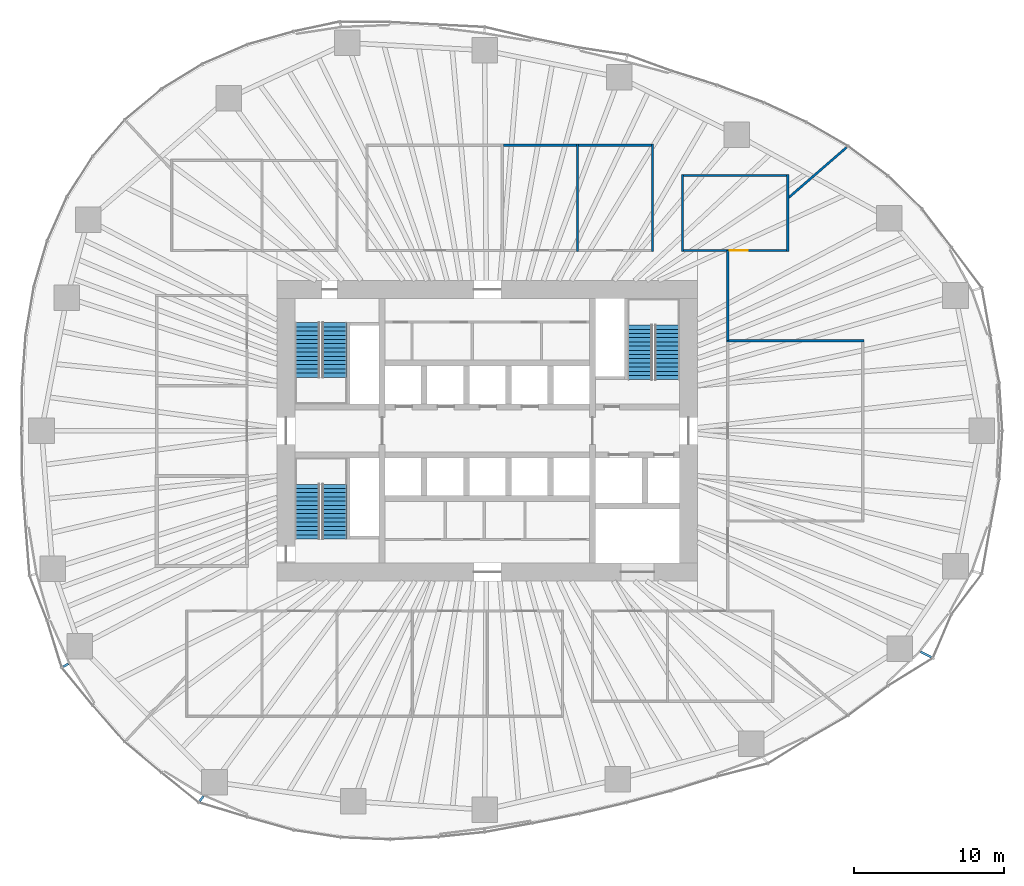
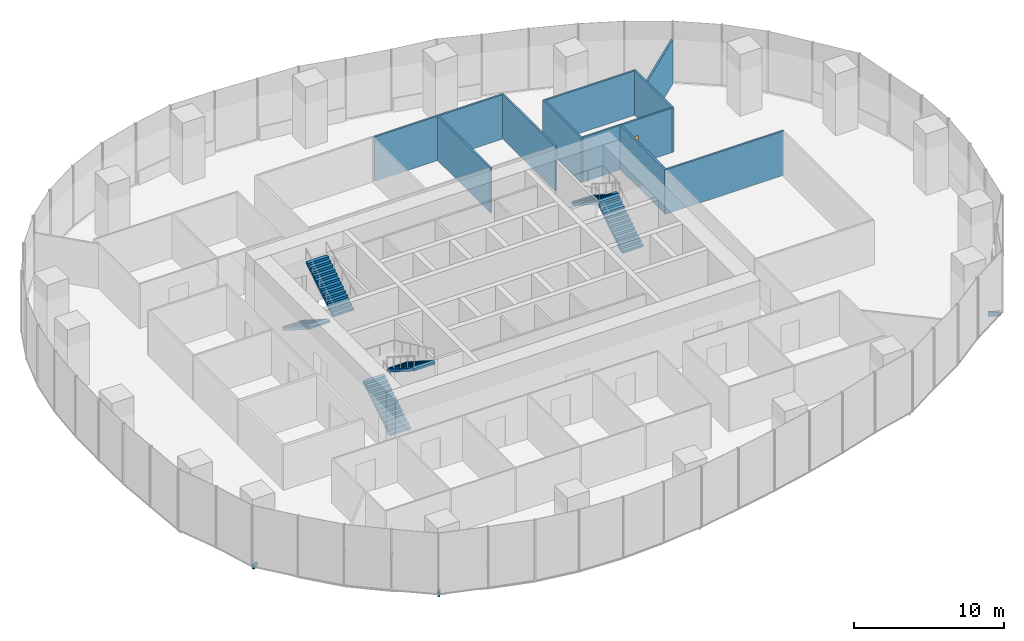
# One storey, part 12 of 20: 11 walls, 6 stair flights, 3 discrete accessories, 1 door, 1 opening, 3 elements without a shape of their own.
"""IFC4 building model written with IfcOpenShell, lengths in metres."""

from ifc_helpers import new_model, si_unit, direction, frame, frame_2d, origin, origin_2d, place, context, subcontext, project, spatial, polyline, rectangle, outline, extrude, material, layer, layer_set, type_object, element, fill, aggregate, save


model = new_model("IFC4")

# Units and contexts
model_context = context("Model", 3, precision=1e-05, world=origin(), true_north=direction((0.0, 1.0)))
body_context = subcontext(model_context, "Body", "Model", "MODEL_VIEW")
ifc_project = project(units=[si_unit("LENGTHUNIT", "METRE"), si_unit("AREAUNIT", "SQUARE_METRE"), si_unit("VOLUMEUNIT", "CUBIC_METRE"), si_unit("PLANEANGLEUNIT", "RADIAN"), si_unit("MASSUNIT", "GRAM", prefix="KILO")], contexts=[model_context])

# Site, building, storey
site_placement = place(None, origin())
site = spatial("IfcSite", under=ifc_project, at=site_placement, CompositionType="ELEMENT")
building_placement = place(site_placement, origin())
building = spatial("IfcBuilding", under=site, at=building_placement, Name="Ghaith Harvest Tower", CompositionType="ELEMENT")
storey_placement = place(building_placement, frame((0.0, 0.0, 55.0)))
storey = spatial("IfcBuildingStorey", under=building, at=storey_placement, Name="L11", CompositionType="ELEMENT", Elevation=55.0)

# Walls
ifc_material_1 = material(Name="Gypsum board on steel studs", Category="steel")
ifc_layer = layer(ifc_material_1, 0.14990234375)
ifc_layer_set = layer_set([ifc_layer], Name="PARTITION 150")
wall_type = type_object("IfcWallType", Name="PARTITION 150", PredefinedType="PARTITIONING", material=ifc_layer_set)
for number, where, z_axis, x_axis, name in (
    (1, (6.0, 11.925048828125, 0.0), (0.0, 0.0, 1.0), (0.0, 1.0, 0.0), "Partition L11 row N4 cross wall 3"),
    (2, (11.0, 11.925048828125, 0.0), (0.0, 0.0, 1.0), (0.0, 1.0, 0.0), "Partition L11 row N4 cross wall 4"),
):
    element("IfcWall", number, at=place(storey_placement, frame(where, z_axis=z_axis, x_axis=x_axis)), inside=storey, type_object=wall_type, Name=name, PredefinedType="PARTITIONING", context=body_context, shape_type="SweptSolid", body=[
        extrude(rectangle(XDim=7.14990234375, YDim=0.14990234375, at=frame_2d((3.574951171875, 0.0))), origin(), (0.0, 0.0, 1.0), 3.60009765625),
    ])
for number, where, z_axis, x_axis, name in (
    (3, (1.074951171875, 19.0, 0.0), (0.0, 0.0, 1.0), (1.0, 0.0, 0.0), "Partition L11-11"),
    (4, (6.074951171875, 19.0, 0.0), (0.0, 0.0, 1.0), (1.0, 0.0, 0.0), "Partition L11-12"),
):
    element("IfcWall", number, at=place(storey_placement, frame(where, z_axis=z_axis, x_axis=x_axis)), inside=storey, type_object=wall_type, Name=name, PredefinedType="PARTITIONING", context=body_context, shape_type="SweptSolid", body=[
        extrude(rectangle(XDim=4.85009765625, YDim=0.14990234375, at=frame_2d((2.425048828125, 0.0))), origin(), (0.0, 0.0, 1.0), 3.60009765625),
    ])
wall_1_placement = place(storey_placement, frame((15.925048828125, 6.0, 0.0), z_axis=(0.0, 0.0, 1.0), x_axis=(1.0, 0.0, 0.0)))
element("IfcWall", 5, at=wall_1_placement, inside=storey, type_object=wall_type, Name="Partition L11 row E5 cross wall 2", PredefinedType="PARTITIONING", context=body_context, shape_type="SweptSolid", body=[
    extrude(rectangle(XDim=9.14990234375, YDim=0.14990234375, at=frame_2d((4.574951171875, 0.0))), origin(), (0.0, 0.0, 1.0), 3.60009765625),
])
for number, where, z_axis, x_axis, name in (
    (6, (13.0, 11.925048828125, 0.0), (0.0, 0.0, 1.0), (0.0, 1.0, 0.0), "Partition L11 row N7 cross wall 1"),
    (7, (20.0, 11.925048828125, 0.0), (0.0, 0.0, 1.0), (0.0, 1.0, 0.0), "Partition L11 row N7 cross wall 2"),
):
    element("IfcWall", number, at=place(storey_placement, frame(where, z_axis=z_axis, x_axis=x_axis)), inside=storey, type_object=wall_type, Name=name, PredefinedType="PARTITIONING", context=body_context, shape_type="SweptSolid", body=[
        extrude(rectangle(XDim=5.14990234375, YDim=0.14990234375, at=frame_2d((2.574951171875, 0.0))), origin(), (0.0, 0.0, 1.0), 3.60009765625),
    ])

# Wall, opening, door
wall_2_placement = place(storey_placement, frame((13.074951171875, 12.0, 0.0), z_axis=(0.0, 0.0, 1.0), x_axis=(1.0, 0.0, 0.0)))
wall_2 = element("IfcWall", 8, at=wall_2_placement, inside=storey, type_object=wall_type, Name="Partition L11-17", PredefinedType="PARTITIONING", context=body_context, shape_type="SweptSolid", body=[
    extrude(rectangle(XDim=6.85009765625, YDim=0.14990234375, at=frame_2d((3.425048828125, 0.0))), origin(), (0.0, 0.0, 1.0), 3.60009765625),
])
opening_placement = place(wall_2_placement, frame((3.074951171875, 0.0, 0.0)))
opening = element("IfcOpeningElement", 9, at=opening_placement, cuts=wall_2, Name="Opening 11-041", PredefinedType="OPENING", context=body_context, shape_type="SweptSolid", body=[
    extrude(rectangle(XDim=1.199951171875, YDim=2.300048828125, at=frame_2d((0.60009765625, 1.14990234375))), frame((0.0, 0.0849609375, 0.0), z_axis=(0.0, -1.0, 0.0), x_axis=(1.0, 0.0, 0.0)), (0.0, 0.0, 1.0), 0.169921875),
])
ifc_material_2 = material(Name="Timber door with vision panel", Category="wood")
door_type = type_object("IfcDoorType", Name="D15 LABORATORY 1200x2300", OperationType="SINGLE_SWING_LEFT", PredefinedType="DOOR", material=ifc_material_2)
door_placement = place(opening_placement, origin())
door = element("IfcDoor", 10, at=door_placement, inside=storey, type_object=door_type, Name="Quality laboratory door", OperationType="SINGLE_SWING_RIGHT", OverallHeight=2.300048828125, OverallWidth=1.199951171875, PredefinedType="DOOR", context=body_context, shape_type="SweptSolid", body=[
    extrude(rectangle(XDim=1.199951171875, YDim=2.300048828125, at=frame_2d((0.60009765625, 1.14990234375))), frame((0.0, 0.02490234375, 0.0), z_axis=(0.0, -1.0, 0.0), x_axis=(1.0, 0.0, 0.0)), (0.0, 0.0, 1.0), 0.050048828125),
])
fill(opening, door)

# Walls
wall_3_placement = place(storey_placement, frame((13.074951171875, 17.0, 0.0), z_axis=(0.0, 0.0, 1.0), x_axis=(1.0, 0.0, 0.0)))
element("IfcWall", 11, at=wall_3_placement, inside=storey, type_object=wall_type, Name="Partition L11-17", PredefinedType="PARTITIONING", context=body_context, shape_type="SweptSolid", body=[
    extrude(rectangle(XDim=6.85009765625, YDim=0.14990234375, at=frame_2d((3.425048828125, 0.0))), origin(), (0.0, 0.0, 1.0), 3.60009765625),
])
wall_4_placement = place(storey_placement, frame((20.02001953125, 15.48681640625, 0.0), z_axis=(0.0, 0.0, 1.0), x_axis=(0.755443308786, 0.655214016342, 0.0)))
element("IfcWall", 12, at=wall_4_placement, inside=storey, type_object=wall_type, Name="Partition L11 zone division", PredefinedType="PARTITIONING", context=body_context, shape_type="SweptSolid", body=[
    extrude(rectangle(XDim=5.14697265625, YDim=0.14990234375, at=frame_2d((2.573486328125, 0.0))), origin(), (0.0, 0.0, 1.0), 3.60009765625),
])
wall_5_placement = place(storey_placement, frame((16.0, 6.0, 0.0), z_axis=(0.0, 0.0, 1.0), x_axis=(0.0, 1.0, 0.0)))
element("IfcWall", 13, at=wall_5_placement, inside=storey, type_object=wall_type, Name="Partition L11 zone enclosure", PredefinedType="PARTITIONING", context=body_context, shape_type="SweptSolid", body=[
    extrude(rectangle(XDim=6.0, YDim=0.14990234375, at=frame_2d((3.0, 0.0))), origin(), (0.0, 0.0, 1.0), 3.60009765625),
])

# Stair, stair flights
ifc_material_3 = material(Name="Concrete C40/50, precast", Category="concrete")
stair_type = type_object("IfcStairType", Name="CORE STAIR 28R", PredefinedType="HALF_TURN_STAIR", material=ifc_material_3)
stair_1_placement = place(storey_placement, origin())
stair_1 = element("IfcStair", 14, at=stair_1_placement, inside=storey, type_object=stair_type, Name="Stair ST1 L11", PredefinedType="HALF_TURN_STAIR")
ifc_material_4 = material(Name="Concrete C40/50, precast", Category="concrete")
stair_flight_type = type_object("IfcStairFlightType", Name="CORE FLIGHT 14R 1600", PredefinedType="STRAIGHT", material=ifc_material_4)
stair_flight_1_placement = place(storey_placement, frame((-12.0, 7.199951171875, 0.0), z_axis=(0.0, 0.0, 1.0), x_axis=(0.0, -1.0, 0.0)))
stair_flight_1 = element("IfcStairFlight", 15, at=stair_flight_1_placement, type_object=stair_flight_type, Name="ST1 flight 1", NumberOfRisers=14, NumberOfTreads=13, PredefinedType="STRAIGHT", RiserHeight=0.178571429, TreadLength=0.28, context=body_context, shape_type="SweptSolid", body=[
    extrude(outline(polyline([(0.0, 0.0), (0.0, 0.178466796875), (0.280029296875, 0.178466796875), (0.280029296875, 0.357177734375), (0.56005859375, 0.357177734375), (0.56005859375, 0.53564453125), (0.840087890625, 0.53564453125), (0.840087890625, 0.71435546875), (1.1201171875, 0.71435546875), (1.1201171875, 0.892822265625), (1.39990234375, 0.892822265625), (1.39990234375, 1.071533203125), (1.679931640625, 1.071533203125), (1.679931640625, 1.25), (1.9599609375, 1.25), (1.9599609375, 1.428466796875), (2.239990234375, 1.428466796875), (2.239990234375, 1.607177734375), (2.52001953125, 1.607177734375), (2.52001953125, 1.78564453125), (2.800048828125, 1.78564453125), (2.800048828125, 1.96435546875), (3.080078125, 1.96435546875), (3.080078125, 2.142822265625), (3.360107421875, 2.142822265625), (3.360107421875, 2.321533203125), (3.639892578125, 2.321533203125), (3.639892578125, 2.5), (3.639892578125, 2.1435546875), (0.27880859375, 0.0), (0.0, 0.0)])), frame((0.0, 0.800048828125, 0.0), z_axis=(0.0, -1.0, 0.0), x_axis=(1.0, 0.0, 0.0)), (0.0, 0.0, 1.0), 1.60009765625),
])
stair_flight_2_placement = place(storey_placement, frame((-10.14990234375, 3.56005859375, 2.5), z_axis=(0.0, 0.0, 1.0), x_axis=(0.0, 1.0, 0.0)))
stair_flight_2 = element("IfcStairFlight", 16, at=stair_flight_2_placement, type_object=stair_flight_type, Name="ST1 flight 2", NumberOfRisers=14, NumberOfTreads=13, PredefinedType="STRAIGHT", RiserHeight=0.178571429, TreadLength=0.28, context=body_context, shape_type="SweptSolid", body=[
    extrude(outline(polyline([(0.0, 0.0), (0.0, 0.178466796875), (0.280029296875, 0.178466796875), (0.280029296875, 0.357177734375), (0.56005859375, 0.357177734375), (0.56005859375, 0.53564453125), (0.840087890625, 0.53564453125), (0.840087890625, 0.71435546875), (1.1201171875, 0.71435546875), (1.1201171875, 0.892822265625), (1.39990234375, 0.892822265625), (1.39990234375, 1.071533203125), (1.679931640625, 1.071533203125), (1.679931640625, 1.25), (1.9599609375, 1.25), (1.9599609375, 1.428466796875), (2.239990234375, 1.428466796875), (2.239990234375, 1.607177734375), (2.52001953125, 1.607177734375), (2.52001953125, 1.78564453125), (2.800048828125, 1.78564453125), (2.800048828125, 1.96435546875), (3.080078125, 1.96435546875), (3.080078125, 2.142822265625), (3.360107421875, 2.142822265625), (3.360107421875, 2.321533203125), (3.639892578125, 2.321533203125), (3.639892578125, 2.5), (3.639892578125, 2.1435546875), (0.27880859375, 0.0), (0.0, 0.0)])), frame((0.0, 0.800048828125, 0.0), z_axis=(0.0, -1.0, 0.0), x_axis=(1.0, 0.0, 0.0)), (0.0, 0.0, 1.0), 1.60009765625),
])
aggregate(stair_1, [stair_flight_1, stair_flight_2])

stair_2_placement = place(storey_placement, origin())
stair_2 = element("IfcStair", 17, at=stair_2_placement, inside=storey, type_object=stair_type, Name="Stair ST3 L11", PredefinedType="HALF_TURN_STAIR")
stair_flight_3_placement = place(storey_placement, frame((-12.0, -7.199951171875, 0.0), z_axis=(0.0, 0.0, 1.0), x_axis=(0.0, 1.0, 0.0)))
stair_flight_3 = element("IfcStairFlight", 18, at=stair_flight_3_placement, type_object=stair_flight_type, Name="ST3 flight 1", NumberOfRisers=14, NumberOfTreads=13, PredefinedType="STRAIGHT", RiserHeight=0.178571429, TreadLength=0.28, context=body_context, shape_type="SweptSolid", body=[
    extrude(outline(polyline([(0.0, 0.0), (0.0, 0.178466796875), (0.280029296875, 0.178466796875), (0.280029296875, 0.357177734375), (0.56005859375, 0.357177734375), (0.56005859375, 0.53564453125), (0.840087890625, 0.53564453125), (0.840087890625, 0.71435546875), (1.1201171875, 0.71435546875), (1.1201171875, 0.892822265625), (1.39990234375, 0.892822265625), (1.39990234375, 1.071533203125), (1.679931640625, 1.071533203125), (1.679931640625, 1.25), (1.9599609375, 1.25), (1.9599609375, 1.428466796875), (2.239990234375, 1.428466796875), (2.239990234375, 1.607177734375), (2.52001953125, 1.607177734375), (2.52001953125, 1.78564453125), (2.800048828125, 1.78564453125), (2.800048828125, 1.96435546875), (3.080078125, 1.96435546875), (3.080078125, 2.142822265625), (3.360107421875, 2.142822265625), (3.360107421875, 2.321533203125), (3.639892578125, 2.321533203125), (3.639892578125, 2.5), (3.639892578125, 2.1435546875), (0.27880859375, 0.0), (0.0, 0.0)])), frame((0.0, 0.800048828125, 0.0), z_axis=(0.0, -1.0, 0.0), x_axis=(1.0, 0.0, 0.0)), (0.0, 0.0, 1.0), 1.60009765625),
])
stair_flight_4_placement = place(storey_placement, frame((-10.14990234375, -3.56005859375, 2.5), z_axis=(0.0, 0.0, 1.0), x_axis=(0.0, -1.0, 0.0)))
stair_flight_4 = element("IfcStairFlight", 19, at=stair_flight_4_placement, type_object=stair_flight_type, Name="ST3 flight 2", NumberOfRisers=14, NumberOfTreads=13, PredefinedType="STRAIGHT", RiserHeight=0.178571429, TreadLength=0.28, context=body_context, shape_type="SweptSolid", body=[
    extrude(outline(polyline([(0.0, 0.0), (0.0, 0.178466796875), (0.280029296875, 0.178466796875), (0.280029296875, 0.357177734375), (0.56005859375, 0.357177734375), (0.56005859375, 0.53564453125), (0.840087890625, 0.53564453125), (0.840087890625, 0.71435546875), (1.1201171875, 0.71435546875), (1.1201171875, 0.892822265625), (1.39990234375, 0.892822265625), (1.39990234375, 1.071533203125), (1.679931640625, 1.071533203125), (1.679931640625, 1.25), (1.9599609375, 1.25), (1.9599609375, 1.428466796875), (2.239990234375, 1.428466796875), (2.239990234375, 1.607177734375), (2.52001953125, 1.607177734375), (2.52001953125, 1.78564453125), (2.800048828125, 1.78564453125), (2.800048828125, 1.96435546875), (3.080078125, 1.96435546875), (3.080078125, 2.142822265625), (3.360107421875, 2.142822265625), (3.360107421875, 2.321533203125), (3.639892578125, 2.321533203125), (3.639892578125, 2.5), (3.639892578125, 2.1435546875), (0.27880859375, 0.0), (0.0, 0.0)])), frame((0.0, 0.800048828125, 0.0), z_axis=(0.0, -1.0, 0.0), x_axis=(1.0, 0.0, 0.0)), (0.0, 0.0, 1.0), 1.60009765625),
])
aggregate(stair_2, [stair_flight_3, stair_flight_4])

stair_3_placement = place(storey_placement, origin())
stair_3 = element("IfcStair", 20, at=stair_3_placement, inside=storey, type_object=stair_type, Name="Stair ST2 L11", PredefinedType="HALF_TURN_STAIR")
stair_flight_5_placement = place(storey_placement, frame((12.0, 3.39990234375, 0.0), z_axis=(0.0, 0.0, 1.0), x_axis=(0.0, 1.0, 0.0)))
stair_flight_5 = element("IfcStairFlight", 21, at=stair_flight_5_placement, type_object=stair_flight_type, Name="ST2 flight 1", NumberOfRisers=14, NumberOfTreads=13, PredefinedType="STRAIGHT", RiserHeight=0.178571429, TreadLength=0.28, context=body_context, shape_type="SweptSolid", body=[
    extrude(outline(polyline([(0.0, 0.0), (0.0, 0.178466796875), (0.280029296875, 0.178466796875), (0.280029296875, 0.357177734375), (0.56005859375, 0.357177734375), (0.56005859375, 0.53564453125), (0.840087890625, 0.53564453125), (0.840087890625, 0.71435546875), (1.1201171875, 0.71435546875), (1.1201171875, 0.892822265625), (1.39990234375, 0.892822265625), (1.39990234375, 1.071533203125), (1.679931640625, 1.071533203125), (1.679931640625, 1.25), (1.9599609375, 1.25), (1.9599609375, 1.428466796875), (2.239990234375, 1.428466796875), (2.239990234375, 1.607177734375), (2.52001953125, 1.607177734375), (2.52001953125, 1.78564453125), (2.800048828125, 1.78564453125), (2.800048828125, 1.96435546875), (3.080078125, 1.96435546875), (3.080078125, 2.142822265625), (3.360107421875, 2.142822265625), (3.360107421875, 2.321533203125), (3.639892578125, 2.321533203125), (3.639892578125, 2.5), (3.639892578125, 2.1435546875), (0.27880859375, 0.0), (0.0, 0.0)])), frame((0.0, 0.800048828125, 0.0), z_axis=(0.0, -1.0, 0.0), x_axis=(1.0, 0.0, 0.0)), (0.0, 0.0, 1.0), 1.60009765625),
])
stair_flight_6_placement = place(storey_placement, frame((10.14990234375, 7.0400390625, 2.5), z_axis=(0.0, 0.0, 1.0), x_axis=(0.0, -1.0, 0.0)))
stair_flight_6 = element("IfcStairFlight", 22, at=stair_flight_6_placement, type_object=stair_flight_type, Name="ST2 flight 2", NumberOfRisers=14, NumberOfTreads=13, PredefinedType="STRAIGHT", RiserHeight=0.178571429, TreadLength=0.28, context=body_context, shape_type="SweptSolid", body=[
    extrude(outline(polyline([(0.0, 0.0), (0.0, 0.178466796875), (0.280029296875, 0.178466796875), (0.280029296875, 0.357177734375), (0.56005859375, 0.357177734375), (0.56005859375, 0.53564453125), (0.840087890625, 0.53564453125), (0.840087890625, 0.71435546875), (1.1201171875, 0.71435546875), (1.1201171875, 0.892822265625), (1.39990234375, 0.892822265625), (1.39990234375, 1.071533203125), (1.679931640625, 1.071533203125), (1.679931640625, 1.25), (1.9599609375, 1.25), (1.9599609375, 1.428466796875), (2.239990234375, 1.428466796875), (2.239990234375, 1.607177734375), (2.52001953125, 1.607177734375), (2.52001953125, 1.78564453125), (2.800048828125, 1.78564453125), (2.800048828125, 1.96435546875), (3.080078125, 1.96435546875), (3.080078125, 2.142822265625), (3.360107421875, 2.142822265625), (3.360107421875, 2.321533203125), (3.639892578125, 2.321533203125), (3.639892578125, 2.5), (3.639892578125, 2.1435546875), (0.27880859375, 0.0), (0.0, 0.0)])), frame((0.0, 0.800048828125, 0.0), z_axis=(0.0, -1.0, 0.0), x_axis=(1.0, 0.0, 0.0)), (0.0, 0.0, 1.0), 1.60009765625),
])
aggregate(stair_3, [stair_flight_5, stair_flight_6])

# Discrete accessories
ifc_material_5 = material(Name="Stainless steel grade 1.4401", Category="steel")
discrete_accessory_type_1 = type_object("IfcDiscreteAccessoryType", Name="CURTAIN WALL BRACKET 415", PredefinedType="BRACKET", material=ifc_material_5)
discrete_accessory_1_placement = place(storey_placement, frame((-28.05859375, -15.60546875, -0.25), z_axis=(0.0, 0.0, 1.0), x_axis=(-0.873926916099, -0.486057347767, 0.0)))
element("IfcDiscreteAccessory", 23, at=discrete_accessory_1_placement, inside=storey, type_object=discrete_accessory_type_1, Name="CW-F bracket 3 bay 12 L11", PredefinedType="BRACKET", context=body_context, shape_type="SweptSolid", body=[
    extrude(rectangle(XDim=0.4150390625, YDim=0.14990234375, at=origin_2d()), origin(), (0.0, 0.0, 1.0), 0.35009765625),
])
ifc_material_6 = material(Name="Stainless steel grade 1.4401", Category="steel")
discrete_accessory_type_2 = type_object("IfcDiscreteAccessoryType", Name="CURTAIN WALL BRACKET 425", PredefinedType="BRACKET", material=ifc_material_6)
discrete_accessory_2_placement = place(storey_placement, frame((-19.02099609375, -24.491455078125, -0.25), z_axis=(0.0, 0.0, 1.0), x_axis=(-0.613377713774, -0.789789706343, 0.0)))
element("IfcDiscreteAccessory", 24, at=discrete_accessory_2_placement, inside=storey, type_object=discrete_accessory_type_2, Name="CW-F bracket 1 bay 14 L11", PredefinedType="BRACKET", context=body_context, shape_type="SweptSolid", body=[
    extrude(rectangle(XDim=0.425048828125, YDim=0.14990234375, at=origin_2d()), origin(), (0.0, 0.0, 1.0), 0.35009765625),
])
ifc_material_7 = material(Name="Stainless steel grade 1.4401", Category="steel")
discrete_accessory_type_3 = type_object("IfcDiscreteAccessoryType", Name="CURTAIN WALL BRACKET 825", PredefinedType="BRACKET", material=ifc_material_7)
discrete_accessory_3_placement = place(storey_placement, frame((29.203125, -14.89404296875, -0.25), z_axis=(0.0, 0.0, 1.0), x_axis=(0.890830752177, -0.454335306767, 0.0)))
element("IfcDiscreteAccessory", 25, at=discrete_accessory_3_placement, inside=storey, type_object=discrete_accessory_type_3, Name="CW-F bracket 2 bay 19 L11", PredefinedType="BRACKET", context=body_context, shape_type="SweptSolid", body=[
    extrude(rectangle(XDim=0.824951171875, YDim=0.14990234375, at=origin_2d()), origin(), (0.0, 0.0, 1.0), 0.35009765625),
])

save(model, "model.ifc")
